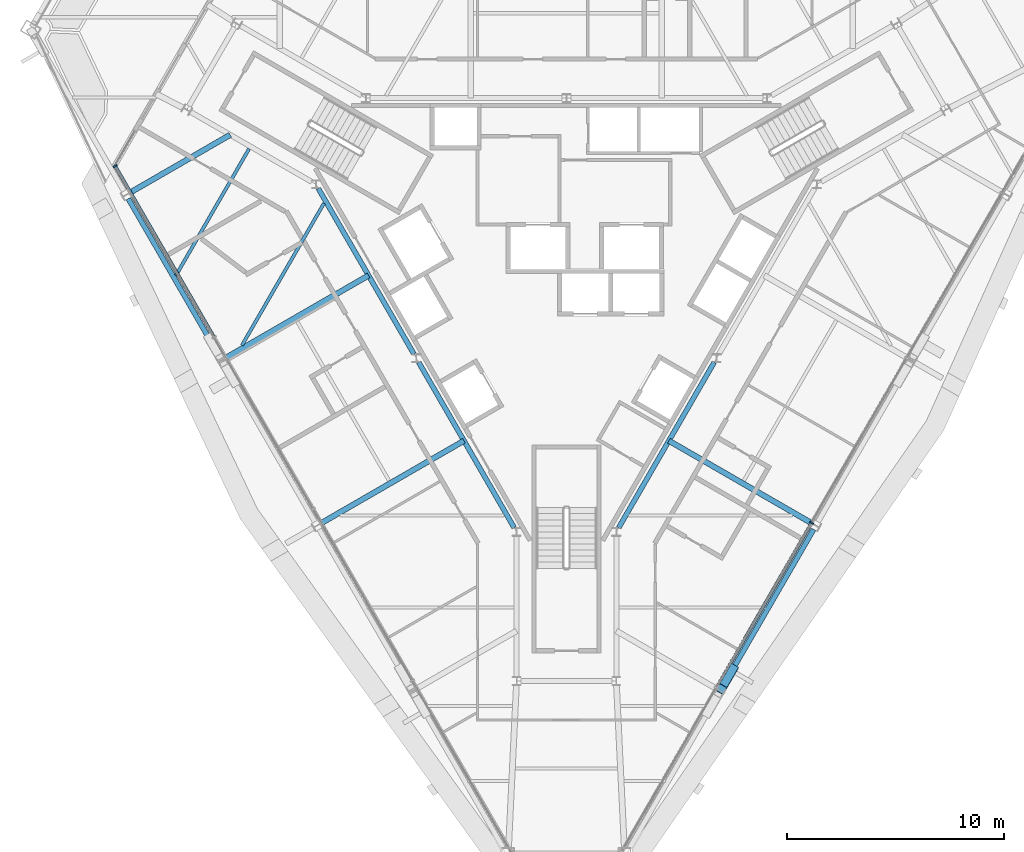
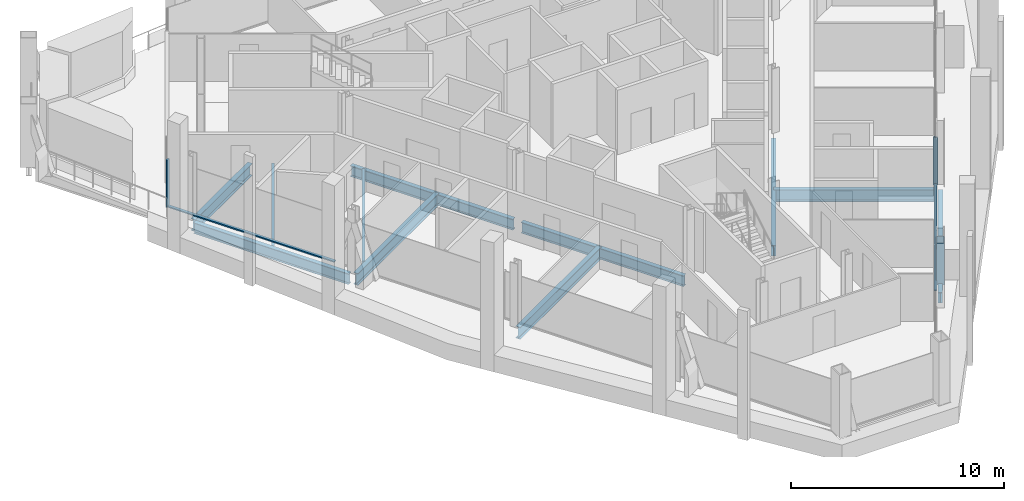
# One storey, part 4 of 14: 11 beams, 5 members, 2 elements without a shape of their own.
"""IFC4 building model written with IfcOpenShell, lengths in metres."""

from ifc_helpers import new_model, si_unit, direction, frame, origin, origin_2d, place, context, subcontext, project, spatial, rectangle, hollow_rectangle, i_section, extrude, material, material_profile, profile_set, type_object, element, aggregate, save


model = new_model("IFC4")

# Units and contexts
model_context = context("Model", 3, precision=1e-05, world=origin(), true_north=direction((0.0, 1.0)))
body_context = subcontext(model_context, "Body", "Model", "MODEL_VIEW")
ifc_project = project(units=[si_unit("LENGTHUNIT", "METRE"), si_unit("AREAUNIT", "SQUARE_METRE"), si_unit("VOLUMEUNIT", "CUBIC_METRE"), si_unit("PLANEANGLEUNIT", "RADIAN"), si_unit("MASSUNIT", "GRAM", prefix="KILO")], contexts=[model_context])

# Site, building, storey
site_placement = place(None, origin())
site = spatial("IfcSite", under=ifc_project, at=site_placement, CompositionType="ELEMENT")
building_placement = place(site_placement, origin())
building = spatial("IfcBuilding", under=site, at=building_placement, Name="Verrane Prism Tower", CompositionType="ELEMENT")
storey_placement = place(building_placement, frame((0.0, 0.0, 228.60009765625)))
storey = spatial("IfcBuildingStorey", under=building, at=storey_placement, Name="L57", CompositionType="ELEMENT", Elevation=228.60009765625)

# Beams
ifc_material_1 = material(Name="Steel A992", Category="steel")
ifc_material_profile_1 = material_profile(ifc_material_1, i_section(OverallWidth=0.23046875, OverallDepth=0.6171875, WebThickness=0.01318359375, FlangeThickness=0.022216796875, FilletRadius=0.012939453125, at=origin_2d()), Name="W24x94")
ifc_profile_set_1 = profile_set([ifc_material_profile_1], Name="Steel A992")
beam_type_1 = type_object("IfcBeamType", Name="Core ring girder W24x94", PredefinedType="BEAM", material=ifc_profile_set_1)
beam_1_placement = place(storey_placement, frame((-11.448486328125, 3.826904296875, -0.55859375), z_axis=(0.499967007444, -0.866044451208, 0.0), x_axis=(0.866044451208, 0.499967007444, 0.0)))
element("IfcBeam", 1, at=beam_1_placement, inside=storey, type_object=beam_type_1, Name="Core ring girder L57", PredefinedType="BEAM", context=body_context, shape_type="SweptSolid", body=[
    extrude(i_section(OverallWidth=0.23046875, OverallDepth=0.6171875, WebThickness=0.01318359375, FlangeThickness=0.022216796875, FilletRadius=0.012939453125, at=origin_2d()), origin(), (0.0, 0.0, 1.0), 8.814453125),
])
for number, where, z_axis, x_axis, name in (
    (2, (-6.818603515625, -4.193115234375, -0.55859375), (0.499987781028, -0.866032458297, 0.0), (0.866032458297, 0.499987781028, 0.0), "Core ring girder L57"),
    (3, (2.411376953125, -11.826904296875, -0.55859375), (0.499987781028, 0.866032458297, 0.0), (-0.866032458297, 0.499987781028, 0.0), "Core ring girder L57"),
):
    element("IfcBeam", number, at=place(storey_placement, frame(where, z_axis=z_axis, x_axis=x_axis)), inside=storey, type_object=beam_type_1, Name=name, PredefinedType="BEAM", context=body_context, shape_type="SweptSolid", body=[
        extrude(i_section(OverallWidth=0.23046875, OverallDepth=0.6171875, WebThickness=0.01318359375, FlangeThickness=0.022216796875, FilletRadius=0.012939453125, at=origin_2d()), origin(), (0.0, 0.0, 1.0), 8.814697265625),
    ])

# Member
ifc_material_2 = material(Name="Steel A500 Grade C", Category="steel")
ifc_material_profile_2 = material_profile(ifc_material_2, hollow_rectangle(XDim=0.406494140625, YDim=0.406494140625, WallThickness=0.01904296875, InnerFilletRadius=0.009521484375, OuterFilletRadius=0.028564453125, at=origin_2d()), Name="HSS16x16x3/4")
ifc_profile_set_2 = profile_set([ifc_material_profile_2], Name="Steel A500 Grade C")
member_type_1 = type_object("IfcMemberType", Name="Facade brace HSS16x16x3/4", PredefinedType="BRACE", material=ifc_profile_set_2)
member_1_placement = place(storey_placement, frame((7.68701171875, -18.34423828125, -0.216796875), z_axis=(-0.161147026962, -0.278871641561, 0.946711277652), x_axis=(0.865836573738, -0.5003269207, 0.0)))
element("IfcMember", 4, at=member_1_placement, inside=storey, type_object=member_type_1, Name="Facade brace SE1 L57", PredefinedType="BRACE", context=body_context, shape_type="SweptSolid", body=[
    extrude(hollow_rectangle(XDim=0.406494140625, YDim=0.406494140625, WallThickness=0.01904296875, InnerFilletRadius=0.009521484375, OuterFilletRadius=0.028564453125, at=origin_2d()), origin(), (0.0, 0.0, 1.0), 3.32861328125),
])

# Beams
ifc_material_3 = material(Name="Steel A992", Category="steel")
ifc_material_profile_3 = material_profile(ifc_material_3, i_section(OverallWidth=0.15234375, OverallDepth=0.449462890625, WebThickness=0.007568359375, FlangeThickness=0.0107421875, FilletRadius=0.01025390625, at=origin_2d()), Name="W18x35")
ifc_profile_set_3 = profile_set([ifc_material_profile_3], Name="Steel A992")
beam_type_2 = type_object("IfcBeamType", Name="Floor beam W18x35", PredefinedType="BEAM", material=ifc_profile_set_3)
beam_2_placement = place(storey_placement, frame((-14.9755859375, -3.414306640625, -0.385009765625), z_axis=(0.500014461485, 0.866017054281, 0.0), x_axis=(-0.866017054281, 0.500014461485, 0.0)))
element("IfcBeam", 5, at=beam_2_placement, inside=storey, type_object=beam_type_2, Name="Floor beam L57", PredefinedType="BEAM", context=body_context, shape_type="SweptSolid", body=[
    extrude(i_section(OverallWidth=0.15234375, OverallDepth=0.449462890625, WebThickness=0.007568359375, FlangeThickness=0.0107421875, FilletRadius=0.01025390625, at=origin_2d()), origin(), (0.0, 0.0, 1.0), 7.574951171875),
])
beam_3_placement = place(storey_placement, frame((-18.029541015625, -0.203125, -0.385009765625), z_axis=(0.500004319728, 0.866022909774, 0.0), x_axis=(-0.866022909774, 0.500004319728, 0.0)))
element("IfcBeam", 6, at=beam_3_placement, inside=storey, type_object=beam_type_2, Name="Floor beam L57", PredefinedType="BEAM", context=body_context, shape_type="SweptSolid", body=[
    extrude(i_section(OverallWidth=0.15234375, OverallDepth=0.449462890625, WebThickness=0.007568359375, FlangeThickness=0.0107421875, FilletRadius=0.01025390625, at=origin_2d()), origin(), (0.0, 0.0, 1.0), 6.77294921875),
])

# Curtain wall, member
ifc_material_4 = material(Name="Aluminium framed insulated glazing", Category="aluminium")
curtain_wall_type = type_object("IfcCurtainWallType", Name="Curtain wall CW-A 8400 module", PredefinedType="NOTDEFINED", material=ifc_material_4)
curtain_wall_1_placement = place(storey_placement, origin())
curtain_wall_1 = element("IfcCurtainWall", 7, at=curtain_wall_1_placement, inside=storey, type_object=curtain_wall_type, Name="Glazed curtain wall south-west face L57", PredefinedType="NOTDEFINED")
ifc_material_5 = material(Name="Aluminium alloy 6063-T6", Category="aluminium")
ifc_material_profile_4 = material_profile(ifc_material_5, rectangle(XDim=0.199951171875, YDim=0.070068359375, at=origin_2d()), Name="Mullion 70x200 aluminium")
ifc_profile_set_4 = profile_set([ifc_material_profile_4], Name="Aluminium alloy 6063-T6")
member_type_2 = type_object("IfcMemberType", Name="Mullion 70x200 aluminium", PredefinedType="MULLION", material=ifc_profile_set_4)
member_2_placement = place(storey_placement, frame((-20.8212890625, 4.860107421875, 0.0), z_axis=(0.0, 0.0, 1.0), x_axis=(0.866025288872, 0.500000199034, 0.0)))
member_2 = element("IfcMember", 8, at=member_2_placement, type_object=member_type_2, Name="CW57.4 mullion 1", PredefinedType="MULLION", context=body_context, shape_type="SweptSolid", body=[
    extrude(rectangle(XDim=0.199951171875, YDim=0.070068359375, at=origin_2d()), origin(), (0.0, 0.0, 1.0), 2.712890625),
])

curtain_wall_2_placement = place(storey_placement, origin())
curtain_wall_2 = element("IfcCurtainWall", 9, at=curtain_wall_2_placement, inside=storey, type_object=curtain_wall_type, Name="Glazed curtain wall south-east face L57", PredefinedType="NOTDEFINED")
member_3_placement = place(storey_placement, frame((11.31591796875, -11.603759765625, 0.0), z_axis=(0.0, 0.0, 1.0), x_axis=(-0.866024862365, 0.500000937764, 0.0)))
member_3 = element("IfcMember", 10, at=member_3_placement, type_object=member_type_2, Name="CW57.6 mullion 3", PredefinedType="MULLION", context=body_context, shape_type="SweptSolid", body=[
    extrude(rectangle(XDim=0.199951171875, YDim=0.070068359375, at=origin_2d()), origin(), (0.0, 0.0, 1.0), 2.712890625),
])

# Beams
ifc_material_6 = material(Name="Steel A992", Category="steel")
ifc_material_profile_5 = material_profile(ifc_material_6, i_section(OverallWidth=0.25390625, OverallDepth=0.683349609375, WebThickness=0.012451171875, FlangeThickness=0.01904296875, FilletRadius=0.01513671875, at=origin_2d()), Name="W27x94")
ifc_profile_set_5 = profile_set([ifc_material_profile_5], Name="Steel A992")
beam_type_3 = type_object("IfcBeamType", Name="Radial girder W27x94", PredefinedType="BEAM", material=ifc_profile_set_5)
beam_4_placement = place(storey_placement, frame((-20.147216796875, 3.629638671875, -0.561767578125), z_axis=(0.866020604947, 0.500008311739, 0.0), x_axis=(-0.500008311739, 0.866020604947, 0.0)))
element("IfcBeam", 11, at=beam_4_placement, inside=storey, type_object=beam_type_3, Name="Radial girder L57", PredefinedType="BEAM", context=body_context, shape_type="SweptSolid", body=[
    extrude(i_section(OverallWidth=0.25390625, OverallDepth=0.683349609375, WebThickness=0.012451171875, FlangeThickness=0.01904296875, FilletRadius=0.01513671875, at=origin_2d()), origin(), (0.0, 0.0, 1.0), 5.34765625),
])
beam_5_placement = place(storey_placement, frame((-15.7373046875, -4.000244140625, -0.561767578125), z_axis=(0.86603047963, 0.499991208275, 0.0), x_axis=(-0.499991208275, 0.86603047963, 0.0)))
element("IfcBeam", 12, at=beam_5_placement, inside=storey, type_object=beam_type_3, Name="Radial girder L57", PredefinedType="BEAM", context=body_context, shape_type="SweptSolid", body=[
    extrude(i_section(OverallWidth=0.25390625, OverallDepth=0.683349609375, WebThickness=0.012451171875, FlangeThickness=0.01904296875, FilletRadius=0.01513671875, at=origin_2d()), origin(), (0.0, 0.0, 1.0), 7.627685546875),
])
for number, where, z_axis, x_axis, name in (
    (13, (-11.33740234375, -11.63037109375, -0.561767578125), (0.866033767766, 0.499985512879, 0.0), (-0.499985512879, 0.866033767766, 0.0), "Radial girder L57"),
    (14, (11.33740234375, -11.63037109375, -0.561767578125), (-0.866033767766, 0.499985512879, 0.0), (-0.499985512879, -0.866033767766, 0.0), "Radial girder L57"),
):
    element("IfcBeam", number, at=place(storey_placement, frame(where, z_axis=z_axis, x_axis=x_axis)), inside=storey, type_object=beam_type_3, Name=name, PredefinedType="BEAM", context=body_context, shape_type="SweptSolid", body=[
        extrude(i_section(OverallWidth=0.25390625, OverallDepth=0.683349609375, WebThickness=0.012451171875, FlangeThickness=0.01904296875, FilletRadius=0.01513671875, at=origin_2d()), origin(), (0.0, 0.0, 1.0), 7.632080078125),
    ])
ifc_material_7 = material(Name="Steel A992", Category="steel")
ifc_material_profile_6 = material_profile(ifc_material_7, i_section(OverallWidth=0.23046875, OverallDepth=0.6171875, WebThickness=0.01318359375, FlangeThickness=0.022216796875, FilletRadius=0.012939453125, at=origin_2d()), Name="W24x94")
ifc_profile_set_6 = profile_set([ifc_material_profile_6], Name="Steel A992")
beam_type_4 = type_object("IfcBeamType", Name="Spandrel beam W24x94", PredefinedType="SPANDREL", material=ifc_profile_set_6)
for number, where, z_axis, x_axis, name in (
    (15, (-20.219482421875, 3.356201171875, -0.46875), (0.500396552915, -0.865796332766, 0.0), (0.865796332766, 0.500396552915, 0.0), "Spandrel beam L57"),
    (16, (7.200439453125, -19.186279296875, -0.46875), (0.500418309917, 0.865783757701, 0.0), (-0.865783757701, 0.500418309917, 0.0), "Spandrel beam L57"),
):
    element("IfcBeam", number, at=place(storey_placement, frame(where, z_axis=z_axis, x_axis=x_axis)), inside=storey, type_object=beam_type_4, Name=name, PredefinedType="SPANDREL", context=body_context, shape_type="SweptSolid", body=[
        extrude(i_section(OverallWidth=0.23046875, OverallDepth=0.6171875, WebThickness=0.01318359375, FlangeThickness=0.022216796875, FilletRadius=0.012939453125, at=origin_2d()), origin(), (0.0, 0.0, 1.0), 8.411376953125),
    ])

# Member
ifc_material_8 = material(Name="Aluminium alloy 6063-T6", Category="aluminium")
ifc_material_profile_7 = material_profile(ifc_material_8, rectangle(XDim=0.14990234375, YDim=0.070068359375, at=origin_2d()), Name="Transom 70x150 aluminium")
ifc_profile_set_7 = profile_set([ifc_material_profile_7], Name="Aluminium alloy 6063-T6")
member_type_3 = type_object("IfcMemberType", Name="Transom 70x150 aluminium", PredefinedType="USERDEFINED", material=ifc_profile_set_7)
member_4_placement = place(storey_placement, frame((-20.8037109375, 4.82958984375, 0.034912109375), z_axis=(0.500001979557, -0.866024260884, 0.0), x_axis=(0.866024260884, 0.500001979557, 0.0)))
member_4 = element("IfcMember", 17, at=member_4_placement, type_object=member_type_3, Name="CW57.4 transom 1", ObjectType="TRANSOM", PredefinedType="USERDEFINED", context=body_context, shape_type="SweptSolid", body=[
    extrude(rectangle(XDim=0.14990234375, YDim=0.070068359375, at=origin_2d()), origin(), (0.0, 0.0, 1.0), 9.04736328125),
])

aggregate(curtain_wall_1, [member_2, member_4])

member_5_placement = place(storey_placement, frame((6.9423828125, -19.178955078125, 0.034912109375), z_axis=(0.50001192258, 0.86601852017, 0.0), x_axis=(-0.86601852017, 0.50001192258, 0.0)))
member_5 = element("IfcMember", 18, at=member_5_placement, type_object=member_type_3, Name="CW57.6 transom 2", ObjectType="TRANSOM", PredefinedType="USERDEFINED", context=body_context, shape_type="SweptSolid", body=[
    extrude(rectangle(XDim=0.14990234375, YDim=0.070068359375, at=origin_2d()), origin(), (0.0, 0.0, 1.0), 8.712158203125),
])

aggregate(curtain_wall_2, [member_3, member_5])

save(model, "model.ifc")
